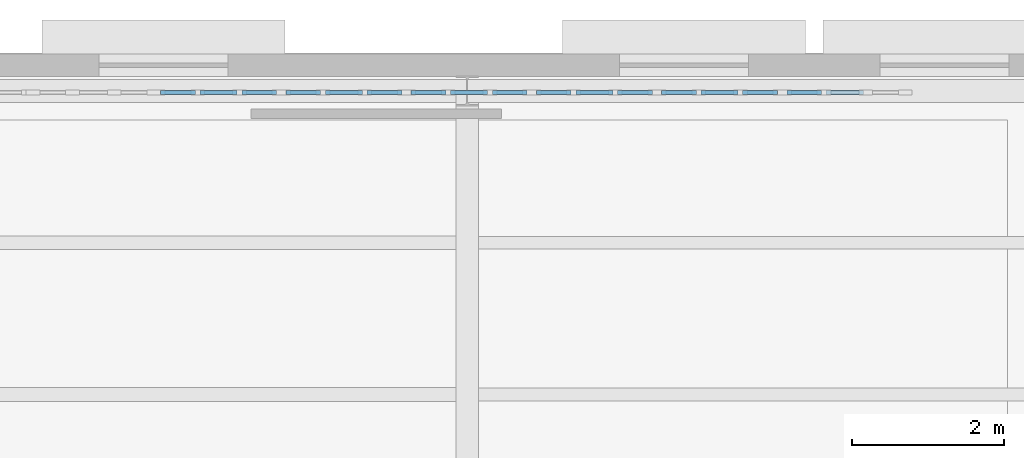
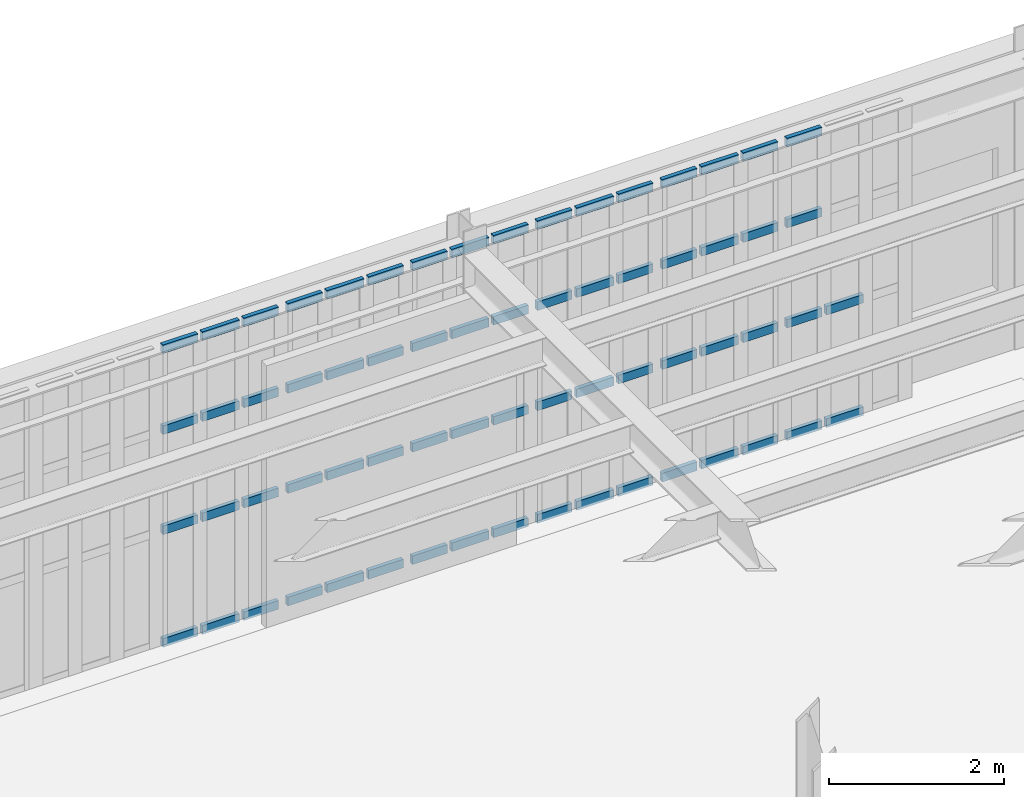
# One storey, part 45 of 91: 66 members, 6 elements without a shape of their own.
"""IFC4 building model written with IfcOpenShell, lengths in metres."""

from ifc_helpers import new_model, si_unit, direction, frame, origin, origin_2d, place, context, subcontext, project, spatial, rectangle, extrude, material, material_profile, profile_set, type_object, element, aggregate, save


model = new_model("IFC4")

# Units and contexts
model_context = context("Model", 3, precision=1e-05, world=origin(), true_north=direction((0.0, 1.0)))
body_context = subcontext(model_context, "Body", "Model", "MODEL_VIEW")
ifc_project = project(units=[si_unit("LENGTHUNIT", "METRE"), si_unit("AREAUNIT", "SQUARE_METRE"), si_unit("VOLUMEUNIT", "CUBIC_METRE"), si_unit("PLANEANGLEUNIT", "RADIAN"), si_unit("MASSUNIT", "GRAM", prefix="KILO")], contexts=[model_context])

# Site, building, storey
site_placement = place(None, origin())
site = spatial("IfcSite", under=ifc_project, at=site_placement, CompositionType="ELEMENT")
building_placement = place(site_placement, origin())
building = spatial("IfcBuilding", under=site, at=building_placement, Name="Kolvaren Corner Interchange", CompositionType="ELEMENT")
storey_placement = place(building_placement, frame((0.0, 0.0, 6.0)))
storey = spatial("IfcBuildingStorey", under=building, at=storey_placement, Name="L02", CompositionType="ELEMENT", Elevation=6.0)

# Curtain wall, members
ifc_material_1 = material(Name="Unitised Aluminium and Solar-Control Glass Curtain Wall", Category="aluminium")
curtain_wall_type = type_object("IfcCurtainWallType", Name="CW-V3-MEZZ", PredefinedType="NOTDEFINED", material=ifc_material_1)
curtain_wall_1_placement = place(storey_placement, origin())
curtain_wall_1 = element("IfcCurtainWall", 1, at=curtain_wall_1_placement, inside=storey, type_object=curtain_wall_type, Name="Cycle Mezzanine North Curtain Wall Bay 07", PredefinedType="NOTDEFINED")
ifc_material_2 = material(Name="Anodised Aluminium Framing", Category="aluminium")
ifc_material_profile = material_profile(ifc_material_2, rectangle(XDim=0.054931640625, YDim=0.1201171875, at=origin_2d()), Name="ALU 55x120")
ifc_profile_set = profile_set([ifc_material_profile], Name="Anodised Aluminium Framing")
member_type = type_object("IfcMemberType", Name="TRN-ALU55x120", PredefinedType="USERDEFINED", material=ifc_profile_set)
member_1_placement = place(storey_placement, frame((101.9599609375, 113.47998046875, 0.027587890625), z_axis=(1.0, 0.0, 0.0), x_axis=(0.0, 1.0, 0.0)))
member_1 = element("IfcMember", 2, at=member_1_placement, type_object=member_type, Name="CW-120 transom 1.1", ObjectType="TRANSOM", PredefinedType="USERDEFINED", context=body_context, shape_type="SweptSolid", body=[
    extrude(rectangle(XDim=0.054931640625, YDim=0.1201171875, at=origin_2d()), origin(), (0.0, 0.0, 1.0), 0.4599609375),
])
member_2_placement = place(storey_placement, frame((101.9599609375, 113.47998046875, 1.60009765625), z_axis=(1.0, 0.0, 0.0), x_axis=(0.0, 1.0, 0.0)))
member_2 = element("IfcMember", 3, at=member_2_placement, type_object=member_type, Name="CW-120 transom 1.2", ObjectType="TRANSOM", PredefinedType="USERDEFINED", context=body_context, shape_type="SweptSolid", body=[
    extrude(rectangle(XDim=0.054931640625, YDim=0.1201171875, at=origin_2d()), origin(), (0.0, 0.0, 1.0), 0.4599609375),
])
member_3_placement = place(storey_placement, frame((101.9599609375, 113.47998046875, 3.0), z_axis=(1.0, 0.0, 0.0), x_axis=(0.0, 1.0, 0.0)))
member_3 = element("IfcMember", 4, at=member_3_placement, type_object=member_type, Name="CW-120 transom 1.3", ObjectType="TRANSOM", PredefinedType="USERDEFINED", context=body_context, shape_type="SweptSolid", body=[
    extrude(rectangle(XDim=0.054931640625, YDim=0.1201171875, at=origin_2d()), origin(), (0.0, 0.0, 1.0), 0.4599609375),
])
member_4_placement = place(storey_placement, frame((101.9599609375, 113.47998046875, 4.132568359375), z_axis=(1.0, 0.0, 0.0), x_axis=(0.0, 1.0, 0.0)))
member_4 = element("IfcMember", 5, at=member_4_placement, type_object=member_type, Name="CW-120 transom 1.4", ObjectType="TRANSOM", PredefinedType="USERDEFINED", context=body_context, shape_type="SweptSolid", body=[
    extrude(rectangle(XDim=0.054931640625, YDim=0.1201171875, at=origin_2d()), origin(), (0.0, 0.0, 1.0), 0.4599609375),
])
member_5_placement = place(storey_placement, frame((102.47998046875, 113.47998046875, 0.027587890625), z_axis=(1.0, 0.0, 0.0), x_axis=(0.0, 1.0, 0.0)))
member_5 = element("IfcMember", 6, at=member_5_placement, type_object=member_type, Name="CW-120 transom 2.1", ObjectType="TRANSOM", PredefinedType="USERDEFINED", context=body_context, shape_type="SweptSolid", body=[
    extrude(rectangle(XDim=0.054931640625, YDim=0.1201171875, at=origin_2d()), origin(), (0.0, 0.0, 1.0), 0.489990234375),
])
member_6_placement = place(storey_placement, frame((102.47998046875, 113.47998046875, 1.60009765625), z_axis=(1.0, 0.0, 0.0), x_axis=(0.0, 1.0, 0.0)))
member_6 = element("IfcMember", 7, at=member_6_placement, type_object=member_type, Name="CW-120 transom 2.2", ObjectType="TRANSOM", PredefinedType="USERDEFINED", context=body_context, shape_type="SweptSolid", body=[
    extrude(rectangle(XDim=0.054931640625, YDim=0.1201171875, at=origin_2d()), origin(), (0.0, 0.0, 1.0), 0.489990234375),
])
member_7_placement = place(storey_placement, frame((102.47998046875, 113.47998046875, 3.0), z_axis=(1.0, 0.0, 0.0), x_axis=(0.0, 1.0, 0.0)))
member_7 = element("IfcMember", 8, at=member_7_placement, type_object=member_type, Name="CW-120 transom 2.3", ObjectType="TRANSOM", PredefinedType="USERDEFINED", context=body_context, shape_type="SweptSolid", body=[
    extrude(rectangle(XDim=0.054931640625, YDim=0.1201171875, at=origin_2d()), origin(), (0.0, 0.0, 1.0), 0.489990234375),
])
member_8_placement = place(storey_placement, frame((102.47998046875, 113.47998046875, 4.132568359375), z_axis=(1.0, 0.0, 0.0), x_axis=(0.0, 1.0, 0.0)))
member_8 = element("IfcMember", 9, at=member_8_placement, type_object=member_type, Name="CW-120 transom 2.4", ObjectType="TRANSOM", PredefinedType="USERDEFINED", context=body_context, shape_type="SweptSolid", body=[
    extrude(rectangle(XDim=0.054931640625, YDim=0.1201171875, at=origin_2d()), origin(), (0.0, 0.0, 1.0), 0.489990234375),
])
member_9_placement = place(storey_placement, frame((103.030029296875, 113.47998046875, 0.027587890625), z_axis=(1.0, 0.0, 0.0), x_axis=(0.0, 1.0, 0.0)))
member_9 = element("IfcMember", 10, at=member_9_placement, type_object=member_type, Name="CW-120 transom 3.1", ObjectType="TRANSOM", PredefinedType="USERDEFINED", context=body_context, shape_type="SweptSolid", body=[
    extrude(rectangle(XDim=0.054931640625, YDim=0.1201171875, at=origin_2d()), origin(), (0.0, 0.0, 1.0), 0.4599609375),
])
member_10_placement = place(storey_placement, frame((103.030029296875, 113.47998046875, 1.60009765625), z_axis=(1.0, 0.0, 0.0), x_axis=(0.0, 1.0, 0.0)))
member_10 = element("IfcMember", 11, at=member_10_placement, type_object=member_type, Name="CW-120 transom 3.2", ObjectType="TRANSOM", PredefinedType="USERDEFINED", context=body_context, shape_type="SweptSolid", body=[
    extrude(rectangle(XDim=0.054931640625, YDim=0.1201171875, at=origin_2d()), origin(), (0.0, 0.0, 1.0), 0.4599609375),
])
member_11_placement = place(storey_placement, frame((103.030029296875, 113.47998046875, 3.0), z_axis=(1.0, 0.0, 0.0), x_axis=(0.0, 1.0, 0.0)))
member_11 = element("IfcMember", 12, at=member_11_placement, type_object=member_type, Name="CW-120 transom 3.3", ObjectType="TRANSOM", PredefinedType="USERDEFINED", context=body_context, shape_type="SweptSolid", body=[
    extrude(rectangle(XDim=0.054931640625, YDim=0.1201171875, at=origin_2d()), origin(), (0.0, 0.0, 1.0), 0.4599609375),
])
member_12_placement = place(storey_placement, frame((103.030029296875, 113.47998046875, 4.132568359375), z_axis=(1.0, 0.0, 0.0), x_axis=(0.0, 1.0, 0.0)))
member_12 = element("IfcMember", 13, at=member_12_placement, type_object=member_type, Name="CW-120 transom 3.4", ObjectType="TRANSOM", PredefinedType="USERDEFINED", context=body_context, shape_type="SweptSolid", body=[
    extrude(rectangle(XDim=0.054931640625, YDim=0.1201171875, at=origin_2d()), origin(), (0.0, 0.0, 1.0), 0.4599609375),
])
aggregate(curtain_wall_1, [member_1, member_2, member_3, member_4, member_5, member_6, member_7, member_8, member_9, member_10, member_11, member_12])

curtain_wall_2_placement = place(storey_placement, origin())
curtain_wall_2 = element("IfcCurtainWall", 14, at=curtain_wall_2_placement, inside=storey, type_object=curtain_wall_type, Name="Cycle Mezzanine North Curtain Wall Bay 08", PredefinedType="NOTDEFINED")
member_13_placement = place(storey_placement, frame((103.610107421875, 113.47998046875, 0.027587890625), z_axis=(1.0, 0.0, 0.0), x_axis=(0.0, 1.0, 0.0)))
member_13 = element("IfcMember", 15, at=member_13_placement, type_object=member_type, Name="CW-121 transom 1.1", ObjectType="TRANSOM", PredefinedType="USERDEFINED", context=body_context, shape_type="SweptSolid", body=[
    extrude(rectangle(XDim=0.054931640625, YDim=0.1201171875, at=origin_2d()), origin(), (0.0, 0.0, 1.0), 0.4599609375),
])
member_14_placement = place(storey_placement, frame((103.610107421875, 113.47998046875, 1.60009765625), z_axis=(1.0, 0.0, 0.0), x_axis=(0.0, 1.0, 0.0)))
member_14 = element("IfcMember", 16, at=member_14_placement, type_object=member_type, Name="CW-121 transom 1.2", ObjectType="TRANSOM", PredefinedType="USERDEFINED", context=body_context, shape_type="SweptSolid", body=[
    extrude(rectangle(XDim=0.054931640625, YDim=0.1201171875, at=origin_2d()), origin(), (0.0, 0.0, 1.0), 0.4599609375),
])
member_15_placement = place(storey_placement, frame((103.610107421875, 113.47998046875, 3.0), z_axis=(1.0, 0.0, 0.0), x_axis=(0.0, 1.0, 0.0)))
member_15 = element("IfcMember", 17, at=member_15_placement, type_object=member_type, Name="CW-121 transom 1.3", ObjectType="TRANSOM", PredefinedType="USERDEFINED", context=body_context, shape_type="SweptSolid", body=[
    extrude(rectangle(XDim=0.054931640625, YDim=0.1201171875, at=origin_2d()), origin(), (0.0, 0.0, 1.0), 0.4599609375),
])
member_16_placement = place(storey_placement, frame((103.610107421875, 113.47998046875, 4.132568359375), z_axis=(1.0, 0.0, 0.0), x_axis=(0.0, 1.0, 0.0)))
member_16 = element("IfcMember", 18, at=member_16_placement, type_object=member_type, Name="CW-121 transom 1.4", ObjectType="TRANSOM", PredefinedType="USERDEFINED", context=body_context, shape_type="SweptSolid", body=[
    extrude(rectangle(XDim=0.054931640625, YDim=0.1201171875, at=origin_2d()), origin(), (0.0, 0.0, 1.0), 0.4599609375),
])
member_17_placement = place(storey_placement, frame((104.1298828125, 113.47998046875, 0.027587890625), z_axis=(1.0, 0.0, 0.0), x_axis=(0.0, 1.0, 0.0)))
member_17 = element("IfcMember", 19, at=member_17_placement, type_object=member_type, Name="CW-121 transom 2.1", ObjectType="TRANSOM", PredefinedType="USERDEFINED", context=body_context, shape_type="SweptSolid", body=[
    extrude(rectangle(XDim=0.054931640625, YDim=0.1201171875, at=origin_2d()), origin(), (0.0, 0.0, 1.0), 0.490234375),
])
member_18_placement = place(storey_placement, frame((104.1298828125, 113.47998046875, 1.60009765625), z_axis=(1.0, 0.0, 0.0), x_axis=(0.0, 1.0, 0.0)))
member_18 = element("IfcMember", 20, at=member_18_placement, type_object=member_type, Name="CW-121 transom 2.2", ObjectType="TRANSOM", PredefinedType="USERDEFINED", context=body_context, shape_type="SweptSolid", body=[
    extrude(rectangle(XDim=0.054931640625, YDim=0.1201171875, at=origin_2d()), origin(), (0.0, 0.0, 1.0), 0.490234375),
])
member_19_placement = place(storey_placement, frame((104.1298828125, 113.47998046875, 3.0), z_axis=(1.0, 0.0, 0.0), x_axis=(0.0, 1.0, 0.0)))
member_19 = element("IfcMember", 21, at=member_19_placement, type_object=member_type, Name="CW-121 transom 2.3", ObjectType="TRANSOM", PredefinedType="USERDEFINED", context=body_context, shape_type="SweptSolid", body=[
    extrude(rectangle(XDim=0.054931640625, YDim=0.1201171875, at=origin_2d()), origin(), (0.0, 0.0, 1.0), 0.490234375),
])
member_20_placement = place(storey_placement, frame((104.1298828125, 113.47998046875, 4.132568359375), z_axis=(1.0, 0.0, 0.0), x_axis=(0.0, 1.0, 0.0)))
member_20 = element("IfcMember", 22, at=member_20_placement, type_object=member_type, Name="CW-121 transom 2.4", ObjectType="TRANSOM", PredefinedType="USERDEFINED", context=body_context, shape_type="SweptSolid", body=[
    extrude(rectangle(XDim=0.054931640625, YDim=0.1201171875, at=origin_2d()), origin(), (0.0, 0.0, 1.0), 0.490234375),
])
member_21_placement = place(storey_placement, frame((104.679931640625, 113.47998046875, 0.027587890625), z_axis=(1.0, 0.0, 0.0), x_axis=(0.0, 1.0, 0.0)))
member_21 = element("IfcMember", 23, at=member_21_placement, type_object=member_type, Name="CW-121 transom 3.1", ObjectType="TRANSOM", PredefinedType="USERDEFINED", context=body_context, shape_type="SweptSolid", body=[
    extrude(rectangle(XDim=0.054931640625, YDim=0.1201171875, at=origin_2d()), origin(), (0.0, 0.0, 1.0), 0.4599609375),
])
member_22_placement = place(storey_placement, frame((104.679931640625, 113.47998046875, 1.60009765625), z_axis=(1.0, 0.0, 0.0), x_axis=(0.0, 1.0, 0.0)))
member_22 = element("IfcMember", 24, at=member_22_placement, type_object=member_type, Name="CW-121 transom 3.2", ObjectType="TRANSOM", PredefinedType="USERDEFINED", context=body_context, shape_type="SweptSolid", body=[
    extrude(rectangle(XDim=0.054931640625, YDim=0.1201171875, at=origin_2d()), origin(), (0.0, 0.0, 1.0), 0.4599609375),
])
member_23_placement = place(storey_placement, frame((104.679931640625, 113.47998046875, 3.0), z_axis=(1.0, 0.0, 0.0), x_axis=(0.0, 1.0, 0.0)))
member_23 = element("IfcMember", 25, at=member_23_placement, type_object=member_type, Name="CW-121 transom 3.3", ObjectType="TRANSOM", PredefinedType="USERDEFINED", context=body_context, shape_type="SweptSolid", body=[
    extrude(rectangle(XDim=0.054931640625, YDim=0.1201171875, at=origin_2d()), origin(), (0.0, 0.0, 1.0), 0.4599609375),
])
member_24_placement = place(storey_placement, frame((104.679931640625, 113.47998046875, 4.132568359375), z_axis=(1.0, 0.0, 0.0), x_axis=(0.0, 1.0, 0.0)))
member_24 = element("IfcMember", 26, at=member_24_placement, type_object=member_type, Name="CW-121 transom 3.4", ObjectType="TRANSOM", PredefinedType="USERDEFINED", context=body_context, shape_type="SweptSolid", body=[
    extrude(rectangle(XDim=0.054931640625, YDim=0.1201171875, at=origin_2d()), origin(), (0.0, 0.0, 1.0), 0.4599609375),
])
aggregate(curtain_wall_2, [member_13, member_14, member_15, member_16, member_17, member_18, member_19, member_20, member_21, member_22, member_23, member_24])

curtain_wall_3_placement = place(storey_placement, origin())
curtain_wall_3 = element("IfcCurtainWall", 27, at=curtain_wall_3_placement, inside=storey, type_object=curtain_wall_type, Name="Cycle Mezzanine North Curtain Wall Bay 09", PredefinedType="NOTDEFINED")
member_25_placement = place(storey_placement, frame((105.260009765625, 113.47998046875, 0.027587890625), z_axis=(1.0, 0.0, 0.0), x_axis=(0.0, 1.0, 0.0)))
member_25 = element("IfcMember", 28, at=member_25_placement, type_object=member_type, Name="CW-122 transom 1.1", ObjectType="TRANSOM", PredefinedType="USERDEFINED", context=body_context, shape_type="SweptSolid", body=[
    extrude(rectangle(XDim=0.054931640625, YDim=0.1201171875, at=origin_2d()), origin(), (0.0, 0.0, 1.0), 0.4599609375),
])
member_26_placement = place(storey_placement, frame((105.260009765625, 113.47998046875, 1.60009765625), z_axis=(1.0, 0.0, 0.0), x_axis=(0.0, 1.0, 0.0)))
member_26 = element("IfcMember", 29, at=member_26_placement, type_object=member_type, Name="CW-122 transom 1.2", ObjectType="TRANSOM", PredefinedType="USERDEFINED", context=body_context, shape_type="SweptSolid", body=[
    extrude(rectangle(XDim=0.054931640625, YDim=0.1201171875, at=origin_2d()), origin(), (0.0, 0.0, 1.0), 0.4599609375),
])
member_27_placement = place(storey_placement, frame((105.260009765625, 113.47998046875, 3.0), z_axis=(1.0, 0.0, 0.0), x_axis=(0.0, 1.0, 0.0)))
member_27 = element("IfcMember", 30, at=member_27_placement, type_object=member_type, Name="CW-122 transom 1.3", ObjectType="TRANSOM", PredefinedType="USERDEFINED", context=body_context, shape_type="SweptSolid", body=[
    extrude(rectangle(XDim=0.054931640625, YDim=0.1201171875, at=origin_2d()), origin(), (0.0, 0.0, 1.0), 0.4599609375),
])
member_28_placement = place(storey_placement, frame((105.260009765625, 113.47998046875, 4.132568359375), z_axis=(1.0, 0.0, 0.0), x_axis=(0.0, 1.0, 0.0)))
member_28 = element("IfcMember", 31, at=member_28_placement, type_object=member_type, Name="CW-122 transom 1.4", ObjectType="TRANSOM", PredefinedType="USERDEFINED", context=body_context, shape_type="SweptSolid", body=[
    extrude(rectangle(XDim=0.054931640625, YDim=0.1201171875, at=origin_2d()), origin(), (0.0, 0.0, 1.0), 0.4599609375),
])
member_29_placement = place(storey_placement, frame((105.780029296875, 113.47998046875, 0.027587890625), z_axis=(1.0, 0.0, 0.0), x_axis=(0.0, 1.0, 0.0)))
member_29 = element("IfcMember", 32, at=member_29_placement, type_object=member_type, Name="CW-122 transom 2.1", ObjectType="TRANSOM", PredefinedType="USERDEFINED", context=body_context, shape_type="SweptSolid", body=[
    extrude(rectangle(XDim=0.054931640625, YDim=0.1201171875, at=origin_2d()), origin(), (0.0, 0.0, 1.0), 0.489990234375),
])
member_30_placement = place(storey_placement, frame((105.780029296875, 113.47998046875, 1.60009765625), z_axis=(1.0, 0.0, 0.0), x_axis=(0.0, 1.0, 0.0)))
member_30 = element("IfcMember", 33, at=member_30_placement, type_object=member_type, Name="CW-122 transom 2.2", ObjectType="TRANSOM", PredefinedType="USERDEFINED", context=body_context, shape_type="SweptSolid", body=[
    extrude(rectangle(XDim=0.054931640625, YDim=0.1201171875, at=origin_2d()), origin(), (0.0, 0.0, 1.0), 0.489990234375),
])
member_31_placement = place(storey_placement, frame((105.780029296875, 113.47998046875, 3.0), z_axis=(1.0, 0.0, 0.0), x_axis=(0.0, 1.0, 0.0)))
member_31 = element("IfcMember", 34, at=member_31_placement, type_object=member_type, Name="CW-122 transom 2.3", ObjectType="TRANSOM", PredefinedType="USERDEFINED", context=body_context, shape_type="SweptSolid", body=[
    extrude(rectangle(XDim=0.054931640625, YDim=0.1201171875, at=origin_2d()), origin(), (0.0, 0.0, 1.0), 0.489990234375),
])
member_32_placement = place(storey_placement, frame((105.780029296875, 113.47998046875, 4.132568359375), z_axis=(1.0, 0.0, 0.0), x_axis=(0.0, 1.0, 0.0)))
member_32 = element("IfcMember", 35, at=member_32_placement, type_object=member_type, Name="CW-122 transom 2.4", ObjectType="TRANSOM", PredefinedType="USERDEFINED", context=body_context, shape_type="SweptSolid", body=[
    extrude(rectangle(XDim=0.054931640625, YDim=0.1201171875, at=origin_2d()), origin(), (0.0, 0.0, 1.0), 0.489990234375),
])
member_33_placement = place(storey_placement, frame((106.330078125, 113.47998046875, 0.027587890625), z_axis=(1.0, 0.0, 0.0), x_axis=(0.0, 1.0, 0.0)))
member_33 = element("IfcMember", 36, at=member_33_placement, type_object=member_type, Name="CW-122 transom 3.1", ObjectType="TRANSOM", PredefinedType="USERDEFINED", context=body_context, shape_type="SweptSolid", body=[
    extrude(rectangle(XDim=0.054931640625, YDim=0.1201171875, at=origin_2d()), origin(), (0.0, 0.0, 1.0), 0.4599609375),
])
member_34_placement = place(storey_placement, frame((106.330078125, 113.47998046875, 1.60009765625), z_axis=(1.0, 0.0, 0.0), x_axis=(0.0, 1.0, 0.0)))
member_34 = element("IfcMember", 37, at=member_34_placement, type_object=member_type, Name="CW-122 transom 3.2", ObjectType="TRANSOM", PredefinedType="USERDEFINED", context=body_context, shape_type="SweptSolid", body=[
    extrude(rectangle(XDim=0.054931640625, YDim=0.1201171875, at=origin_2d()), origin(), (0.0, 0.0, 1.0), 0.4599609375),
])
member_35_placement = place(storey_placement, frame((106.330078125, 113.47998046875, 3.0), z_axis=(1.0, 0.0, 0.0), x_axis=(0.0, 1.0, 0.0)))
member_35 = element("IfcMember", 38, at=member_35_placement, type_object=member_type, Name="CW-122 transom 3.3", ObjectType="TRANSOM", PredefinedType="USERDEFINED", context=body_context, shape_type="SweptSolid", body=[
    extrude(rectangle(XDim=0.054931640625, YDim=0.1201171875, at=origin_2d()), origin(), (0.0, 0.0, 1.0), 0.4599609375),
])
member_36_placement = place(storey_placement, frame((106.330078125, 113.47998046875, 4.132568359375), z_axis=(1.0, 0.0, 0.0), x_axis=(0.0, 1.0, 0.0)))
member_36 = element("IfcMember", 39, at=member_36_placement, type_object=member_type, Name="CW-122 transom 3.4", ObjectType="TRANSOM", PredefinedType="USERDEFINED", context=body_context, shape_type="SweptSolid", body=[
    extrude(rectangle(XDim=0.054931640625, YDim=0.1201171875, at=origin_2d()), origin(), (0.0, 0.0, 1.0), 0.4599609375),
])
aggregate(curtain_wall_3, [member_25, member_26, member_27, member_28, member_29, member_30, member_31, member_32, member_33, member_34, member_35, member_36])

curtain_wall_4_placement = place(storey_placement, origin())
curtain_wall_4 = element("IfcCurtainWall", 40, at=curtain_wall_4_placement, inside=storey, type_object=curtain_wall_type, Name="Cycle Mezzanine North Curtain Wall Bay 10", PredefinedType="NOTDEFINED")
member_37_placement = place(storey_placement, frame((106.909912109375, 113.47998046875, 0.027587890625), z_axis=(1.0, 0.0, 0.0), x_axis=(0.0, 1.0, 0.0)))
member_37 = element("IfcMember", 41, at=member_37_placement, type_object=member_type, Name="CW-123 transom 1.1", ObjectType="TRANSOM", PredefinedType="USERDEFINED", context=body_context, shape_type="SweptSolid", body=[
    extrude(rectangle(XDim=0.054931640625, YDim=0.1201171875, at=origin_2d()), origin(), (0.0, 0.0, 1.0), 0.460205078125),
])
member_38_placement = place(storey_placement, frame((106.909912109375, 113.47998046875, 1.60009765625), z_axis=(1.0, 0.0, 0.0), x_axis=(0.0, 1.0, 0.0)))
member_38 = element("IfcMember", 42, at=member_38_placement, type_object=member_type, Name="CW-123 transom 1.2", ObjectType="TRANSOM", PredefinedType="USERDEFINED", context=body_context, shape_type="SweptSolid", body=[
    extrude(rectangle(XDim=0.054931640625, YDim=0.1201171875, at=origin_2d()), origin(), (0.0, 0.0, 1.0), 0.460205078125),
])
member_39_placement = place(storey_placement, frame((106.909912109375, 113.47998046875, 3.0), z_axis=(1.0, 0.0, 0.0), x_axis=(0.0, 1.0, 0.0)))
member_39 = element("IfcMember", 43, at=member_39_placement, type_object=member_type, Name="CW-123 transom 1.3", ObjectType="TRANSOM", PredefinedType="USERDEFINED", context=body_context, shape_type="SweptSolid", body=[
    extrude(rectangle(XDim=0.054931640625, YDim=0.1201171875, at=origin_2d()), origin(), (0.0, 0.0, 1.0), 0.460205078125),
])
member_40_placement = place(storey_placement, frame((106.909912109375, 113.47998046875, 4.132568359375), z_axis=(1.0, 0.0, 0.0), x_axis=(0.0, 1.0, 0.0)))
member_40 = element("IfcMember", 44, at=member_40_placement, type_object=member_type, Name="CW-123 transom 1.4", ObjectType="TRANSOM", PredefinedType="USERDEFINED", context=body_context, shape_type="SweptSolid", body=[
    extrude(rectangle(XDim=0.054931640625, YDim=0.1201171875, at=origin_2d()), origin(), (0.0, 0.0, 1.0), 0.460205078125),
])
member_41_placement = place(storey_placement, frame((107.429931640625, 113.47998046875, 0.027587890625), z_axis=(1.0, 0.0, 0.0), x_axis=(0.0, 1.0, 0.0)))
member_41 = element("IfcMember", 45, at=member_41_placement, type_object=member_type, Name="CW-123 transom 2.1", ObjectType="TRANSOM", PredefinedType="USERDEFINED", context=body_context, shape_type="SweptSolid", body=[
    extrude(rectangle(XDim=0.054931640625, YDim=0.1201171875, at=origin_2d()), origin(), (0.0, 0.0, 1.0), 0.489990234375),
])
member_42_placement = place(storey_placement, frame((107.429931640625, 113.47998046875, 1.60009765625), z_axis=(1.0, 0.0, 0.0), x_axis=(0.0, 1.0, 0.0)))
member_42 = element("IfcMember", 46, at=member_42_placement, type_object=member_type, Name="CW-123 transom 2.2", ObjectType="TRANSOM", PredefinedType="USERDEFINED", context=body_context, shape_type="SweptSolid", body=[
    extrude(rectangle(XDim=0.054931640625, YDim=0.1201171875, at=origin_2d()), origin(), (0.0, 0.0, 1.0), 0.489990234375),
])
member_43_placement = place(storey_placement, frame((107.429931640625, 113.47998046875, 3.0), z_axis=(1.0, 0.0, 0.0), x_axis=(0.0, 1.0, 0.0)))
member_43 = element("IfcMember", 47, at=member_43_placement, type_object=member_type, Name="CW-123 transom 2.3", ObjectType="TRANSOM", PredefinedType="USERDEFINED", context=body_context, shape_type="SweptSolid", body=[
    extrude(rectangle(XDim=0.054931640625, YDim=0.1201171875, at=origin_2d()), origin(), (0.0, 0.0, 1.0), 0.489990234375),
])
member_44_placement = place(storey_placement, frame((107.429931640625, 113.47998046875, 4.132568359375), z_axis=(1.0, 0.0, 0.0), x_axis=(0.0, 1.0, 0.0)))
member_44 = element("IfcMember", 48, at=member_44_placement, type_object=member_type, Name="CW-123 transom 2.4", ObjectType="TRANSOM", PredefinedType="USERDEFINED", context=body_context, shape_type="SweptSolid", body=[
    extrude(rectangle(XDim=0.054931640625, YDim=0.1201171875, at=origin_2d()), origin(), (0.0, 0.0, 1.0), 0.489990234375),
])
member_45_placement = place(storey_placement, frame((107.97998046875, 113.47998046875, 0.027587890625), z_axis=(1.0, 0.0, 0.0), x_axis=(0.0, 1.0, 0.0)))
member_45 = element("IfcMember", 49, at=member_45_placement, type_object=member_type, Name="CW-123 transom 3.1", ObjectType="TRANSOM", PredefinedType="USERDEFINED", context=body_context, shape_type="SweptSolid", body=[
    extrude(rectangle(XDim=0.054931640625, YDim=0.1201171875, at=origin_2d()), origin(), (0.0, 0.0, 1.0), 0.4599609375),
])
member_46_placement = place(storey_placement, frame((107.97998046875, 113.47998046875, 1.60009765625), z_axis=(1.0, 0.0, 0.0), x_axis=(0.0, 1.0, 0.0)))
member_46 = element("IfcMember", 50, at=member_46_placement, type_object=member_type, Name="CW-123 transom 3.2", ObjectType="TRANSOM", PredefinedType="USERDEFINED", context=body_context, shape_type="SweptSolid", body=[
    extrude(rectangle(XDim=0.054931640625, YDim=0.1201171875, at=origin_2d()), origin(), (0.0, 0.0, 1.0), 0.4599609375),
])
member_47_placement = place(storey_placement, frame((107.97998046875, 113.47998046875, 3.0), z_axis=(1.0, 0.0, 0.0), x_axis=(0.0, 1.0, 0.0)))
member_47 = element("IfcMember", 51, at=member_47_placement, type_object=member_type, Name="CW-123 transom 3.3", ObjectType="TRANSOM", PredefinedType="USERDEFINED", context=body_context, shape_type="SweptSolid", body=[
    extrude(rectangle(XDim=0.054931640625, YDim=0.1201171875, at=origin_2d()), origin(), (0.0, 0.0, 1.0), 0.4599609375),
])
member_48_placement = place(storey_placement, frame((107.97998046875, 113.47998046875, 4.132568359375), z_axis=(1.0, 0.0, 0.0), x_axis=(0.0, 1.0, 0.0)))
member_48 = element("IfcMember", 52, at=member_48_placement, type_object=member_type, Name="CW-123 transom 3.4", ObjectType="TRANSOM", PredefinedType="USERDEFINED", context=body_context, shape_type="SweptSolid", body=[
    extrude(rectangle(XDim=0.054931640625, YDim=0.1201171875, at=origin_2d()), origin(), (0.0, 0.0, 1.0), 0.4599609375),
])
aggregate(curtain_wall_4, [member_37, member_38, member_39, member_40, member_41, member_42, member_43, member_44, member_45, member_46, member_47, member_48])

curtain_wall_5_placement = place(storey_placement, origin())
curtain_wall_5 = element("IfcCurtainWall", 53, at=curtain_wall_5_placement, inside=storey, type_object=curtain_wall_type, Name="Cycle Mezzanine North Curtain Wall Bay 11", PredefinedType="NOTDEFINED")
member_49_placement = place(storey_placement, frame((108.56005859375, 113.47998046875, 0.027587890625), z_axis=(1.0, 0.0, 0.0), x_axis=(0.0, 1.0, 0.0)))
member_49 = element("IfcMember", 54, at=member_49_placement, type_object=member_type, Name="CW-124 transom 1.1", ObjectType="TRANSOM", PredefinedType="USERDEFINED", context=body_context, shape_type="SweptSolid", body=[
    extrude(rectangle(XDim=0.054931640625, YDim=0.1201171875, at=origin_2d()), origin(), (0.0, 0.0, 1.0), 0.4599609375),
])
member_50_placement = place(storey_placement, frame((108.56005859375, 113.47998046875, 1.60009765625), z_axis=(1.0, 0.0, 0.0), x_axis=(0.0, 1.0, 0.0)))
member_50 = element("IfcMember", 55, at=member_50_placement, type_object=member_type, Name="CW-124 transom 1.2", ObjectType="TRANSOM", PredefinedType="USERDEFINED", context=body_context, shape_type="SweptSolid", body=[
    extrude(rectangle(XDim=0.054931640625, YDim=0.1201171875, at=origin_2d()), origin(), (0.0, 0.0, 1.0), 0.4599609375),
])
member_51_placement = place(storey_placement, frame((108.56005859375, 113.47998046875, 3.0), z_axis=(1.0, 0.0, 0.0), x_axis=(0.0, 1.0, 0.0)))
member_51 = element("IfcMember", 56, at=member_51_placement, type_object=member_type, Name="CW-124 transom 1.3", ObjectType="TRANSOM", PredefinedType="USERDEFINED", context=body_context, shape_type="SweptSolid", body=[
    extrude(rectangle(XDim=0.054931640625, YDim=0.1201171875, at=origin_2d()), origin(), (0.0, 0.0, 1.0), 0.4599609375),
])
member_52_placement = place(storey_placement, frame((108.56005859375, 113.47998046875, 4.132568359375), z_axis=(1.0, 0.0, 0.0), x_axis=(0.0, 1.0, 0.0)))
member_52 = element("IfcMember", 57, at=member_52_placement, type_object=member_type, Name="CW-124 transom 1.4", ObjectType="TRANSOM", PredefinedType="USERDEFINED", context=body_context, shape_type="SweptSolid", body=[
    extrude(rectangle(XDim=0.054931640625, YDim=0.1201171875, at=origin_2d()), origin(), (0.0, 0.0, 1.0), 0.4599609375),
])
member_53_placement = place(storey_placement, frame((109.080078125, 113.47998046875, 0.027587890625), z_axis=(1.0, 0.0, 0.0), x_axis=(0.0, 1.0, 0.0)))
member_53 = element("IfcMember", 58, at=member_53_placement, type_object=member_type, Name="CW-124 transom 2.1", ObjectType="TRANSOM", PredefinedType="USERDEFINED", context=body_context, shape_type="SweptSolid", body=[
    extrude(rectangle(XDim=0.054931640625, YDim=0.1201171875, at=origin_2d()), origin(), (0.0, 0.0, 1.0), 0.489990234375),
])
member_54_placement = place(storey_placement, frame((109.080078125, 113.47998046875, 1.60009765625), z_axis=(1.0, 0.0, 0.0), x_axis=(0.0, 1.0, 0.0)))
member_54 = element("IfcMember", 59, at=member_54_placement, type_object=member_type, Name="CW-124 transom 2.2", ObjectType="TRANSOM", PredefinedType="USERDEFINED", context=body_context, shape_type="SweptSolid", body=[
    extrude(rectangle(XDim=0.054931640625, YDim=0.1201171875, at=origin_2d()), origin(), (0.0, 0.0, 1.0), 0.489990234375),
])
member_55_placement = place(storey_placement, frame((109.080078125, 113.47998046875, 3.0), z_axis=(1.0, 0.0, 0.0), x_axis=(0.0, 1.0, 0.0)))
member_55 = element("IfcMember", 60, at=member_55_placement, type_object=member_type, Name="CW-124 transom 2.3", ObjectType="TRANSOM", PredefinedType="USERDEFINED", context=body_context, shape_type="SweptSolid", body=[
    extrude(rectangle(XDim=0.054931640625, YDim=0.1201171875, at=origin_2d()), origin(), (0.0, 0.0, 1.0), 0.489990234375),
])
member_56_placement = place(storey_placement, frame((109.080078125, 113.47998046875, 4.132568359375), z_axis=(1.0, 0.0, 0.0), x_axis=(0.0, 1.0, 0.0)))
member_56 = element("IfcMember", 61, at=member_56_placement, type_object=member_type, Name="CW-124 transom 2.4", ObjectType="TRANSOM", PredefinedType="USERDEFINED", context=body_context, shape_type="SweptSolid", body=[
    extrude(rectangle(XDim=0.054931640625, YDim=0.1201171875, at=origin_2d()), origin(), (0.0, 0.0, 1.0), 0.489990234375),
])
member_57_placement = place(storey_placement, frame((109.6298828125, 113.47998046875, 0.027587890625), z_axis=(1.0, 0.0, 0.0), x_axis=(0.0, 1.0, 0.0)))
member_57 = element("IfcMember", 62, at=member_57_placement, type_object=member_type, Name="CW-124 transom 3.1", ObjectType="TRANSOM", PredefinedType="USERDEFINED", context=body_context, shape_type="SweptSolid", body=[
    extrude(rectangle(XDim=0.054931640625, YDim=0.1201171875, at=origin_2d()), origin(), (0.0, 0.0, 1.0), 0.460205078125),
])
member_58_placement = place(storey_placement, frame((109.6298828125, 113.47998046875, 1.60009765625), z_axis=(1.0, 0.0, 0.0), x_axis=(0.0, 1.0, 0.0)))
member_58 = element("IfcMember", 63, at=member_58_placement, type_object=member_type, Name="CW-124 transom 3.2", ObjectType="TRANSOM", PredefinedType="USERDEFINED", context=body_context, shape_type="SweptSolid", body=[
    extrude(rectangle(XDim=0.054931640625, YDim=0.1201171875, at=origin_2d()), origin(), (0.0, 0.0, 1.0), 0.460205078125),
])
member_59_placement = place(storey_placement, frame((109.6298828125, 113.47998046875, 3.0), z_axis=(1.0, 0.0, 0.0), x_axis=(0.0, 1.0, 0.0)))
member_59 = element("IfcMember", 64, at=member_59_placement, type_object=member_type, Name="CW-124 transom 3.3", ObjectType="TRANSOM", PredefinedType="USERDEFINED", context=body_context, shape_type="SweptSolid", body=[
    extrude(rectangle(XDim=0.054931640625, YDim=0.1201171875, at=origin_2d()), origin(), (0.0, 0.0, 1.0), 0.460205078125),
])
member_60_placement = place(storey_placement, frame((109.6298828125, 113.47998046875, 4.132568359375), z_axis=(1.0, 0.0, 0.0), x_axis=(0.0, 1.0, 0.0)))
member_60 = element("IfcMember", 65, at=member_60_placement, type_object=member_type, Name="CW-124 transom 3.4", ObjectType="TRANSOM", PredefinedType="USERDEFINED", context=body_context, shape_type="SweptSolid", body=[
    extrude(rectangle(XDim=0.054931640625, YDim=0.1201171875, at=origin_2d()), origin(), (0.0, 0.0, 1.0), 0.460205078125),
])
aggregate(curtain_wall_5, [member_49, member_50, member_51, member_52, member_53, member_54, member_55, member_56, member_57, member_58, member_59, member_60])

curtain_wall_6_placement = place(storey_placement, origin())
curtain_wall_6 = element("IfcCurtainWall", 66, at=curtain_wall_6_placement, inside=storey, type_object=curtain_wall_type, Name="Cycle Mezzanine North Curtain Wall Bay 12", PredefinedType="NOTDEFINED")
member_61_placement = place(storey_placement, frame((110.2099609375, 113.47998046875, 0.027587890625), z_axis=(1.0, 0.0, 0.0), x_axis=(0.0, 1.0, 0.0)))
member_61 = element("IfcMember", 67, at=member_61_placement, type_object=member_type, Name="CW-125 transom 1.1", ObjectType="TRANSOM", PredefinedType="USERDEFINED", context=body_context, shape_type="SweptSolid", body=[
    extrude(rectangle(XDim=0.054931640625, YDim=0.1201171875, at=origin_2d()), origin(), (0.0, 0.0, 1.0), 0.4599609375),
])
member_62_placement = place(storey_placement, frame((110.2099609375, 113.47998046875, 1.60009765625), z_axis=(1.0, 0.0, 0.0), x_axis=(0.0, 1.0, 0.0)))
member_62 = element("IfcMember", 68, at=member_62_placement, type_object=member_type, Name="CW-125 transom 1.2", ObjectType="TRANSOM", PredefinedType="USERDEFINED", context=body_context, shape_type="SweptSolid", body=[
    extrude(rectangle(XDim=0.054931640625, YDim=0.1201171875, at=origin_2d()), origin(), (0.0, 0.0, 1.0), 0.4599609375),
])
member_63_placement = place(storey_placement, frame((110.2099609375, 113.47998046875, 3.0), z_axis=(1.0, 0.0, 0.0), x_axis=(0.0, 1.0, 0.0)))
member_63 = element("IfcMember", 69, at=member_63_placement, type_object=member_type, Name="CW-125 transom 1.3", ObjectType="TRANSOM", PredefinedType="USERDEFINED", context=body_context, shape_type="SweptSolid", body=[
    extrude(rectangle(XDim=0.054931640625, YDim=0.1201171875, at=origin_2d()), origin(), (0.0, 0.0, 1.0), 0.4599609375),
])
member_64_placement = place(storey_placement, frame((110.2099609375, 113.47998046875, 4.132568359375), z_axis=(1.0, 0.0, 0.0), x_axis=(0.0, 1.0, 0.0)))
member_64 = element("IfcMember", 70, at=member_64_placement, type_object=member_type, Name="CW-125 transom 1.4", ObjectType="TRANSOM", PredefinedType="USERDEFINED", context=body_context, shape_type="SweptSolid", body=[
    extrude(rectangle(XDim=0.054931640625, YDim=0.1201171875, at=origin_2d()), origin(), (0.0, 0.0, 1.0), 0.4599609375),
])
member_65_placement = place(storey_placement, frame((110.72998046875, 113.47998046875, 0.027587890625), z_axis=(1.0, 0.0, 0.0), x_axis=(0.0, 1.0, 0.0)))
member_65 = element("IfcMember", 71, at=member_65_placement, type_object=member_type, Name="CW-125 transom 2.1", ObjectType="TRANSOM", PredefinedType="USERDEFINED", context=body_context, shape_type="SweptSolid", body=[
    extrude(rectangle(XDim=0.054931640625, YDim=0.1201171875, at=origin_2d()), origin(), (0.0, 0.0, 1.0), 0.489990234375),
])
member_66_placement = place(storey_placement, frame((110.72998046875, 113.47998046875, 1.60009765625), z_axis=(1.0, 0.0, 0.0), x_axis=(0.0, 1.0, 0.0)))
member_66 = element("IfcMember", 72, at=member_66_placement, type_object=member_type, Name="CW-125 transom 2.2", ObjectType="TRANSOM", PredefinedType="USERDEFINED", context=body_context, shape_type="SweptSolid", body=[
    extrude(rectangle(XDim=0.054931640625, YDim=0.1201171875, at=origin_2d()), origin(), (0.0, 0.0, 1.0), 0.489990234375),
])
aggregate(curtain_wall_6, [member_61, member_62, member_63, member_64, member_65, member_66])

save(model, "model.ifc")
